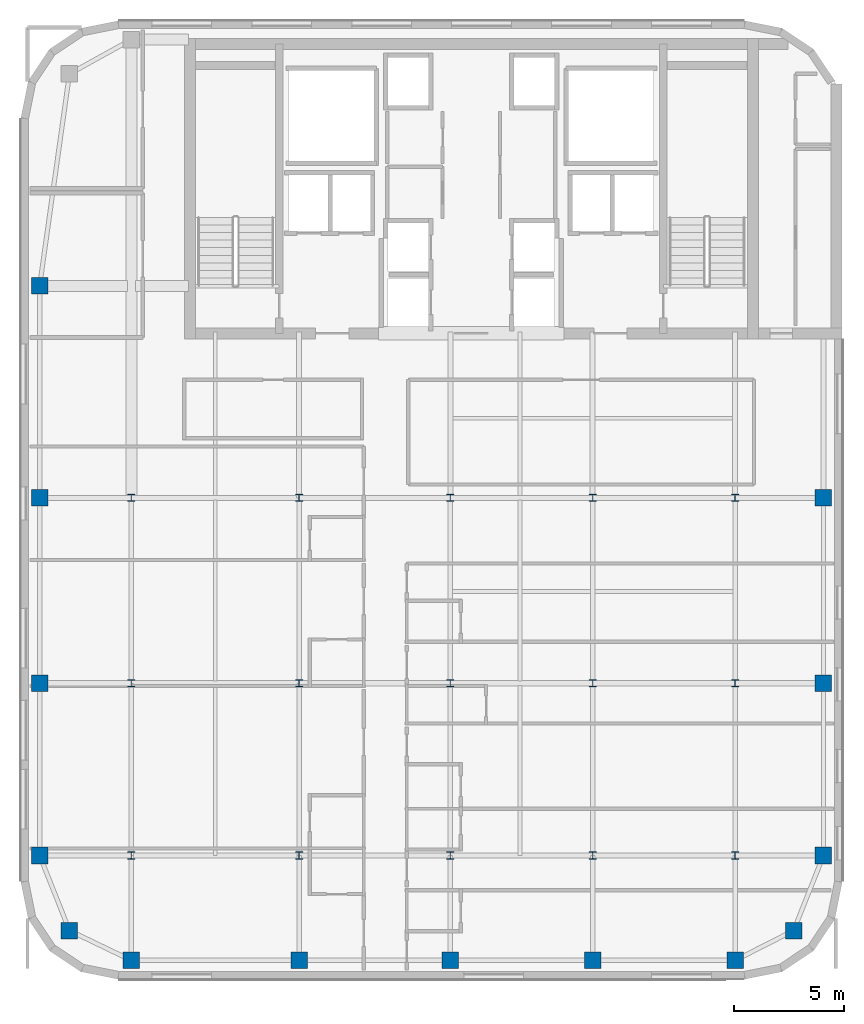
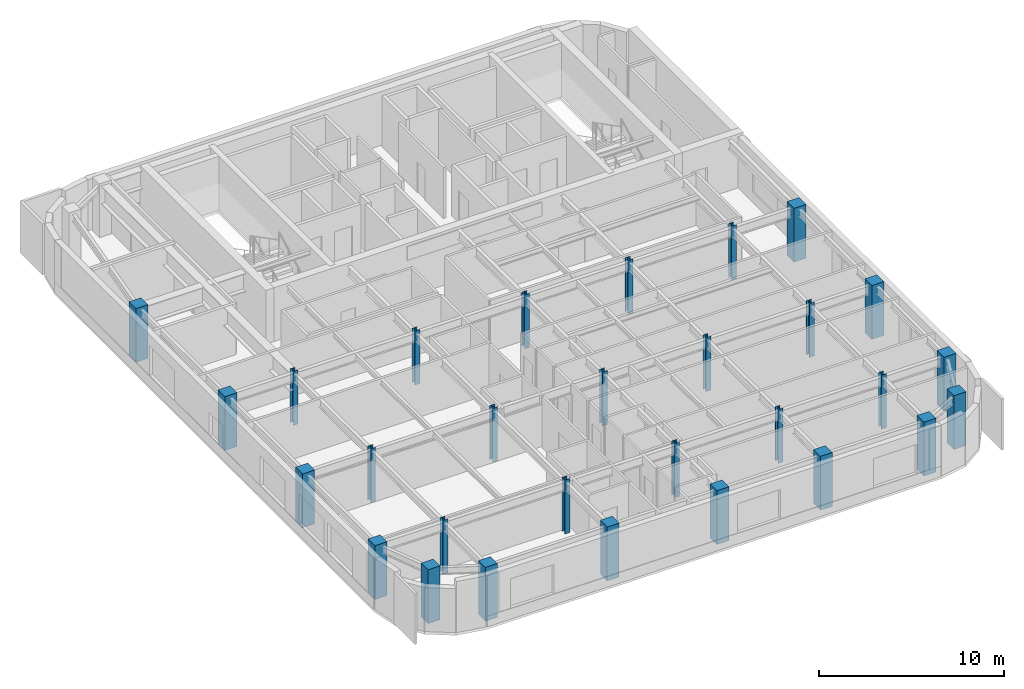
# One storey, part 1 of 12: 29 columns.
"""IFC4 building model written with IfcOpenShell, lengths in metres."""

from ifc_helpers import new_model, si_unit, direction, frame, origin, origin_2d, place, context, subcontext, project, spatial, rectangle, i_section, extrude, source, transform, mapped, material, material_profile, profile_set, type_object, type_shapes, element, save


model = new_model("IFC4")

# Units and contexts
model_context = context("Model", 3, precision=1e-05, world=origin(), true_north=direction((0.0, 1.0)))
body_context = subcontext(model_context, "Body", "Model", "MODEL_VIEW")
ifc_project = project(units=[si_unit("LENGTHUNIT", "METRE"), si_unit("AREAUNIT", "SQUARE_METRE"), si_unit("VOLUMEUNIT", "CUBIC_METRE"), si_unit("PLANEANGLEUNIT", "RADIAN"), si_unit("MASSUNIT", "GRAM", prefix="KILO")], contexts=[model_context])

# Site, building, storey
site_placement = place(None, origin())
site = spatial("IfcSite", under=ifc_project, at=site_placement, CompositionType="ELEMENT")
building_placement = place(site_placement, origin())
building = spatial("IfcBuilding", under=site, at=building_placement, Name="Tolvann Quenvar Hotel", CompositionType="ELEMENT")
storey_placement = place(building_placement, frame((0.0, 0.0, 213.25)))
storey = spatial("IfcBuildingStorey", under=building, at=storey_placement, Name="L56", CompositionType="ELEMENT", Elevation=213.25)

# Columns
ifc_material_1 = material(Name="Concrete N50 (50 MPa)", Category="concrete")
ifc_material_profile_1 = material_profile(ifc_material_1, rectangle(XDim=0.75, YDim=0.75, at=origin_2d()), Name="RC750x750")
ifc_profile_set_1 = profile_set([ifc_material_profile_1], Name="Concrete N50 (50 MPa)")
column_type_1 = type_object("IfcColumnType", Name="COL_RC750", PredefinedType="COLUMN", material=ifc_profile_set_1)
shared_shape_1 = source(origin(), body_context, "Body", "SweptSolid", [
    extrude(rectangle(XDim=0.75, YDim=0.75, at=origin_2d()), origin(), (0.0, 0.0, 1.0), 3.550048828125),
])
type_shapes(column_type_1, [shared_shape_1])
for number, where, z_axis, x_axis, name in (
    (1, (4.800048828125, 4.800048828125, 0.0), (0.0, 0.0, 1.0), (1.0, 0.0, 0.0), "Column B2 (L56)"),
    (2, (3.449951171875, 8.199951171875, 0.0), (0.0, 0.0, 1.0), (1.0, 0.0, 0.0), "Column B3 (L56)"),
    (3, (3.449951171875, 16.0, 0.0), (0.0, 0.0, 1.0), (1.0, 0.0, 0.0), "Column B4 (L56)"),
    (4, (3.449951171875, 24.39990234375, 0.0), (0.0, 0.0, 1.0), (1.0, 0.0, 0.0), "Column B5 (L56)"),
    (5, (7.60009765625, 3.449951171875, 0.0), (0.0, 0.0, 1.0), (1.0, 0.0, 0.0), "Column C2 (L56)"),
    (6, (15.199951171875, 3.449951171875, 0.0), (0.0, 0.0, 1.0), (1.0, 0.0, 0.0), "Column D2 (L56)"),
    (7, (22.050048828125, 3.449951171875, 0.0), (0.0, 0.0, 1.0), (1.0, 0.0, 0.0), "Column E2 (L56)"),
    (8, (28.5, 3.449951171875, 0.0), (0.0, 0.0, 1.0), (1.0, 0.0, 0.0), "Column M2 (L56)"),
    (9, (34.949951171875, 3.449951171875, 0.0), (0.0, 0.0, 1.0), (1.0, 0.0, 0.0), "Column F2 (L56)"),
    (10, (37.60009765625, 4.800048828125, 0.0), (0.0, 0.0, 1.0), (1.0, 0.0, 0.0), "Column G2 (L56)"),
    (11, (38.949951171875, 8.199951171875, 0.0), (0.0, 0.0, 1.0), (1.0, 0.0, 0.0), "Column G3 (L56)"),
    (12, (38.949951171875, 16.0, 0.0), (0.0, 0.0, 1.0), (1.0, 0.0, 0.0), "Column G4 (L56)"),
    (13, (38.949951171875, 24.39990234375, 0.0), (0.0, 0.0, 1.0), (1.0, 0.0, 0.0), "Column G5 (L56)"),
    (14, (3.449951171875, 34.0, 0.0), (0.0, 0.0, 1.0), (1.0, 0.0, 0.0), "Column BD6 (L56)"),
):
    element("IfcColumn", number, at=place(storey_placement, frame(where, z_axis=z_axis, x_axis=x_axis)), inside=storey, type_object=column_type_1, Name=name, PredefinedType="COLUMN", context=body_context, shape_type="MappedRepresentation", body=[
        mapped(shared_shape_1, transform((0.0, 0.0, 0.0), x_axis=(1.0, 0.0, 0.0), y_axis=(0.0, 1.0, 0.0), z_axis=(0.0, 0.0, 1.0), scale=1.0)),
    ])
ifc_material_2 = material(Name="Steel Grade 350", Category="steel")
ifc_material_profile_2 = material_profile(ifc_material_2, i_section(OverallWidth=0.31103515625, OverallDepth=0.326904296875, WebThickness=0.015625, FlangeThickness=0.02490234375, FilletRadius=0.0166015625, at=origin_2d()), Name="310UC158")
ifc_profile_set_2 = profile_set([ifc_material_profile_2], Name="Steel Grade 350")
column_type_2 = type_object("IfcColumnType", Name="COL_310UC158", PredefinedType="COLUMN", material=ifc_profile_set_2)
shared_shape_2 = source(origin(), body_context, "Body", "SweptSolid", [
    extrude(i_section(OverallWidth=0.31103515625, OverallDepth=0.326904296875, WebThickness=0.015625, FlangeThickness=0.02490234375, FilletRadius=0.0166015625, at=origin_2d()), origin(), (0.0, 0.0, 1.0), 3.550048828125),
])
type_shapes(column_type_2, [shared_shape_2])
for number, where, z_axis, x_axis, name in (
    (15, (7.60009765625, 8.199951171875, 0.0), (0.0, 0.0, 1.0), (1.0, 0.0, 0.0), "Column C3 (L56)"),
    (16, (7.60009765625, 16.0, 0.0), (0.0, 0.0, 1.0), (1.0, 0.0, 0.0), "Column C4 (L56)"),
    (17, (7.60009765625, 24.39990234375, 0.0), (0.0, 0.0, 1.0), (1.0, 0.0, 0.0), "Column C5 (L56)"),
    (18, (15.199951171875, 8.199951171875, 0.0), (0.0, 0.0, 1.0), (1.0, 0.0, 0.0), "Column D3 (L56)"),
    (19, (15.199951171875, 16.0, 0.0), (0.0, 0.0, 1.0), (1.0, 0.0, 0.0), "Column D4 (L56)"),
    (20, (15.199951171875, 24.39990234375, 0.0), (0.0, 0.0, 1.0), (1.0, 0.0, 0.0), "Column D5 (L56)"),
    (21, (22.050048828125, 8.199951171875, 0.0), (0.0, 0.0, 1.0), (1.0, 0.0, 0.0), "Column E3 (L56)"),
    (22, (22.050048828125, 16.0, 0.0), (0.0, 0.0, 1.0), (1.0, 0.0, 0.0), "Column E4 (L56)"),
    (23, (22.050048828125, 24.39990234375, 0.0), (0.0, 0.0, 1.0), (1.0, 0.0, 0.0), "Column E5 (L56)"),
    (24, (28.5, 8.199951171875, 0.0), (0.0, 0.0, 1.0), (1.0, 0.0, 0.0), "Column M3 (L56)"),
    (25, (28.5, 16.0, 0.0), (0.0, 0.0, 1.0), (1.0, 0.0, 0.0), "Column M4 (L56)"),
    (26, (28.5, 24.39990234375, 0.0), (0.0, 0.0, 1.0), (1.0, 0.0, 0.0), "Column M5 (L56)"),
    (27, (34.949951171875, 8.199951171875, 0.0), (0.0, 0.0, 1.0), (1.0, 0.0, 0.0), "Column F3 (L56)"),
    (28, (34.949951171875, 16.0, 0.0), (0.0, 0.0, 1.0), (1.0, 0.0, 0.0), "Column F4 (L56)"),
    (29, (34.949951171875, 24.39990234375, 0.0), (0.0, 0.0, 1.0), (1.0, 0.0, 0.0), "Column F5 (L56)"),
):
    element("IfcColumn", number, at=place(storey_placement, frame(where, z_axis=z_axis, x_axis=x_axis)), inside=storey, type_object=column_type_2, Name=name, PredefinedType="COLUMN", context=body_context, shape_type="MappedRepresentation", body=[
        mapped(shared_shape_2, transform((0.0, 0.0, 0.0), x_axis=(1.0, 0.0, 0.0), y_axis=(0.0, 1.0, 0.0), z_axis=(0.0, 0.0, 1.0), scale=1.0)),
    ])

save(model, "model.ifc")
